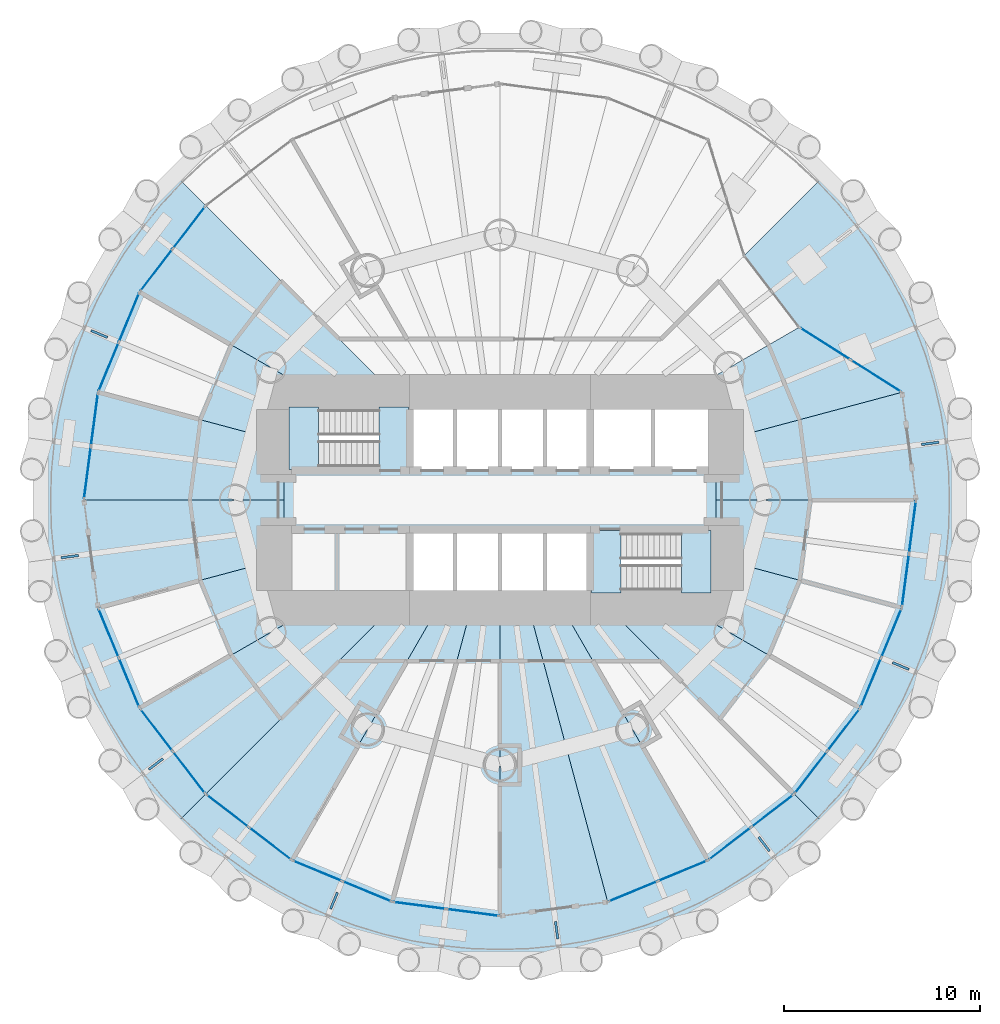
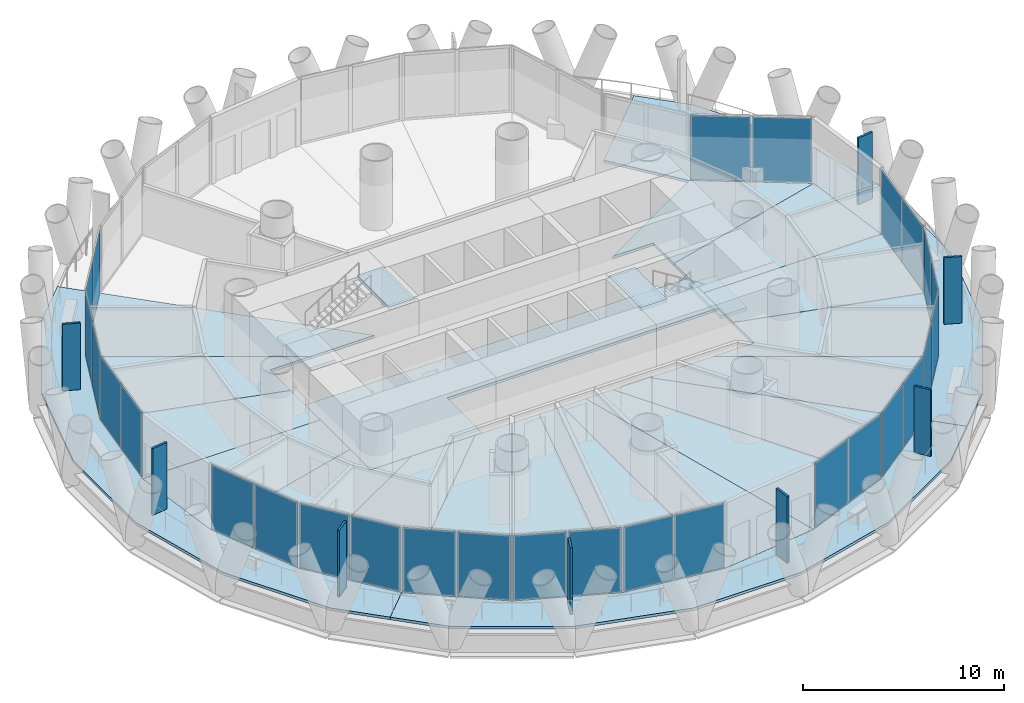
# One storey, part 7 of 15: 36 plates, 25 slabs, 16 elements without a shape of their own.
"""IFC4 building model written with IfcOpenShell, lengths in metres."""

from ifc_helpers import new_model, si_unit, direction, frame, origin, origin_2d, place, context, subcontext, project, spatial, polyline, rectangle, outline, extrude, material, layer, layer_set, type_object, element, aggregate, save


model = new_model("IFC4")

# Units and contexts
model_context = context("Model", 3, precision=1e-05, world=origin(), true_north=direction((0.0, 1.0)))
body_context = subcontext(model_context, "Body", "Model", "MODEL_VIEW")
ifc_project = project(units=[si_unit("LENGTHUNIT", "METRE"), si_unit("AREAUNIT", "SQUARE_METRE"), si_unit("VOLUMEUNIT", "CUBIC_METRE"), si_unit("PLANEANGLEUNIT", "RADIAN"), si_unit("MASSUNIT", "GRAM", prefix="KILO")], contexts=[model_context])

# Site, building, storey
site_placement = place(None, origin())
site = spatial("IfcSite", under=ifc_project, at=site_placement, CompositionType="ELEMENT")
building_placement = place(site_placement, origin())
building = spatial("IfcBuilding", under=site, at=building_placement, Name="Qaws Media Tower", CompositionType="ELEMENT")
storey_placement = place(building_placement, frame((0.0, 0.0, 34.39990234375)))
storey = spatial("IfcBuildingStorey", under=building, at=storey_placement, Name="L06", CompositionType="ELEMENT", Elevation=34.39990234375)

# Slabs
ifc_material_1 = material(Name="Concrete C35/45", Category="concrete")
ifc_layer_1 = layer(ifc_material_1, 0.159912109375)
ifc_layer_set_1 = layer_set([ifc_layer_1], Name="Composite balcony slab 160")
slab_type_1 = type_object("IfcSlabType", Name="Composite balcony slab 160", PredefinedType="FLOOR", material=ifc_layer_set_1)
slab_1_placement = place(storey_placement, frame((0.0, 0.0, -0.159912109375)))
element("IfcSlab", 1, at=slab_1_placement, inside=storey, type_object=slab_type_1, Name="S2 balcony slab L06 R10 to R16, movement joints on R10 and R16", PredefinedType="FLOOR", context=body_context, shape_type="SweptSolid", body=[
    extrude(outline(polyline([(41.27685546875, 35.63330078125), (38.1962890625, 40.96875), (36.601806640625, 46.919677734375), (36.601806640625, 53.080322265625), (38.1962890625, 59.03125), (41.27685546875, 64.36669921875), (43.455078125, 66.544921875), (45.00927734375, 64.99072265625), (41.640380859375, 60.60009765625), (39.5224609375, 55.487060546875), (38.800048828125, 50.0), (39.5224609375, 44.512939453125), (41.640380859375, 39.39990234375), (45.00927734375, 35.00927734375), (43.455078125, 33.455078125), (41.27685546875, 35.63330078125)])), origin(), (0.0, 0.0, 1.0), 0.159912109375),
])
slab_2_placement = place(storey_placement, frame((0.0, 0.0, -0.159912109375)))
element("IfcSlab", 2, at=slab_2_placement, inside=storey, type_object=slab_type_1, Name="S2 balcony slab L06 R16 to R22, movement joints on R16 and R22", PredefinedType="FLOOR", context=body_context, shape_type="SweptSolid", body=[
    extrude(outline(polyline([(74.36669921875, 31.27685546875), (69.03125, 28.1962890625), (63.080322265625, 26.601806640625), (56.919677734375, 26.601806640625), (50.96875, 28.1962890625), (45.63330078125, 31.27685546875), (43.455078125, 33.455078125), (45.00927734375, 35.00927734375), (49.39990234375, 31.640380859375), (54.512939453125, 29.5224609375), (60.0, 28.800048828125), (65.487060546875, 29.5224609375), (70.60009765625, 31.640380859375), (74.99072265625, 35.00927734375), (76.544921875, 33.455078125), (74.36669921875, 31.27685546875)])), origin(), (0.0, 0.0, 1.0), 0.159912109375),
])
slab_3_placement = place(storey_placement, frame((0.0, 0.0, -0.159912109375)))
element("IfcSlab", 3, at=slab_3_placement, inside=storey, type_object=slab_type_1, Name="S2 balcony slab L06 R22 to R04, movement joints on R22 and R04", PredefinedType="FLOOR", context=body_context, shape_type="SweptSolid", body=[
    extrude(outline(polyline([(81.8037109375, 40.96875), (78.72314453125, 35.63330078125), (76.544921875, 33.455078125), (74.99072265625, 35.00927734375), (78.359619140625, 39.39990234375), (80.4775390625, 44.512939453125), (81.199951171875, 50.0), (80.4775390625, 55.487060546875), (75.241943359375, 58.800048828125), (72.445068359375, 62.445068359375), (76.544921875, 66.544921875), (78.72314453125, 64.36669921875), (81.8037109375, 59.03125), (83.398193359375, 53.080322265625), (83.398193359375, 46.919677734375), (81.8037109375, 40.96875)])), origin(), (0.0, 0.0, 1.0), 0.159912109375),
])
ifc_material_2 = material(Name="Concrete C35/45", Category="concrete")
ifc_layer_2 = layer(ifc_material_2, 0.159912109375)
ifc_layer_set_2 = layer_set([ifc_layer_2], Name="Composite floor slab 160")
slab_type_2 = type_object("IfcSlabType", Name="Composite floor slab 160", PredefinedType="FLOOR", material=ifc_layer_set_2)
slab_4_placement = place(storey_placement, frame((0.0, 0.0, -0.159912109375)))
element("IfcSlab", 4, at=slab_4_placement, inside=storey, type_object=slab_type_2, Name="S1 core floor slab L06", PredefinedType="FLOOR", context=body_context, shape_type="SweptSolid", body=[
    extrude(outline(polyline([(71.0, 51.5), (71.0, 48.5), (55.39990234375, 48.5), (55.39990234375, 45.0), (49.0, 45.0), (49.0, 51.5), (71.0, 51.5)])), origin(), (0.0, 0.0, 1.0), 0.159912109375),
])
slab_5_placement = place(storey_placement, frame((0.0, 0.0, -0.159912109375)))
element("IfcSlab", 5, at=slab_5_placement, inside=storey, type_object=slab_type_2, Name="S1 floor panel L06 on R01+7.5", PredefinedType="FLOOR", context=body_context, shape_type="SweptSolid", body=[
    extrude(outline(polyline([(81.199951171875, 50.0), (71.0, 50.0), (71.0, 52.947509765625), (80.4775390625, 55.487060546875), (81.199951171875, 50.0)])), origin(), (0.0, 0.0, 1.0), 0.159912109375),
])
slab_6_placement = place(storey_placement, frame((0.0, 0.0, -0.159912109375)))
element("IfcSlab", 6, at=slab_6_placement, inside=storey, type_object=slab_type_2, Name="S1 floor panel L06 on R02+7.5", PredefinedType="FLOOR", context=body_context, shape_type="SweptSolid", body=[
    extrude(outline(polyline([(80.4775390625, 55.487060546875), (71.0, 52.947509765625), (71.0, 55.0), (68.660400390625, 55.0), (75.241943359375, 58.800048828125), (80.4775390625, 55.487060546875)])), origin(), (0.0, 0.0, 1.0), 0.159912109375),
])
slab_7_placement = place(storey_placement, frame((0.0, 0.0, -0.159912109375)))
element("IfcSlab", 7, at=slab_7_placement, inside=storey, type_object=slab_type_2, Name="S1 floor panel L06 on R10+7.5", PredefinedType="FLOOR", context=body_context, shape_type="SweptSolid", body=[
    extrude(outline(polyline([(41.640380859375, 60.60009765625), (45.00927734375, 64.99072265625), (55.0, 55.0), (51.339599609375, 55.0), (41.640380859375, 60.60009765625)])), origin(), (0.0, 0.0, 1.0), 0.159912109375),
])
slab_8_placement = place(storey_placement, frame((0.0, 0.0, -0.159912109375)))
element("IfcSlab", 8, at=slab_8_placement, inside=storey, type_object=slab_type_2, Name="S1 floor panel L06 on R11+7.5", PredefinedType="FLOOR", context=body_context, shape_type="SweptSolid", body=[
    extrude(outline(polyline([(39.5224609375, 55.487060546875), (41.640380859375, 60.60009765625), (51.339599609375, 55.0), (49.0, 55.0), (49.0, 52.947509765625), (39.5224609375, 55.487060546875)])), origin(), (0.0, 0.0, 1.0), 0.159912109375),
])
slab_9_placement = place(storey_placement, frame((0.0, 0.0, -0.159912109375)))
element("IfcSlab", 9, at=slab_9_placement, inside=storey, type_object=slab_type_2, Name="S1 floor panel L06 on R12+7.5", PredefinedType="FLOOR", context=body_context, shape_type="SweptSolid", body=[
    extrude(outline(polyline([(39.5224609375, 55.487060546875), (49.0, 52.947509765625), (49.0, 50.0), (38.800048828125, 50.0), (39.5224609375, 55.487060546875)])), origin(), (0.0, 0.0, 1.0), 0.159912109375),
])
slab_10_placement = place(storey_placement, frame((0.0, 0.0, -0.159912109375)))
element("IfcSlab", 10, at=slab_10_placement, inside=storey, type_object=slab_type_2, Name="S1 floor panel L06 on R13+7.5", PredefinedType="FLOOR", context=body_context, shape_type="SweptSolid", body=[
    extrude(outline(polyline([(38.800048828125, 50.0), (49.0, 50.0), (49.0, 47.052490234375), (39.5224609375, 44.512939453125), (38.800048828125, 50.0)])), origin(), (0.0, 0.0, 1.0), 0.159912109375),
])
slab_11_placement = place(storey_placement, frame((0.0, 0.0, -0.159912109375)))
element("IfcSlab", 11, at=slab_11_placement, inside=storey, type_object=slab_type_2, Name="S1 floor panel L06 on R14+7.5", PredefinedType="FLOOR", context=body_context, shape_type="SweptSolid", body=[
    extrude(outline(polyline([(41.640380859375, 39.39990234375), (39.5224609375, 44.512939453125), (49.0, 47.052490234375), (49.0, 45.0), (51.339599609375, 45.0), (41.640380859375, 39.39990234375)])), origin(), (0.0, 0.0, 1.0), 0.159912109375),
])
slab_12_placement = place(storey_placement, frame((0.0, 0.0, -0.159912109375)))
element("IfcSlab", 12, at=slab_12_placement, inside=storey, type_object=slab_type_2, Name="S1 floor panel L06 on R15+7.5", PredefinedType="FLOOR", context=body_context, shape_type="SweptSolid", body=[
    extrude(outline(polyline([(41.640380859375, 39.39990234375), (51.339599609375, 45.0), (55.0, 45.0), (45.00927734375, 35.00927734375), (41.640380859375, 39.39990234375)])), origin(), (0.0, 0.0, 1.0), 0.159912109375),
])
slab_13_placement = place(storey_placement, frame((0.0, 0.0, -0.159912109375)))
element("IfcSlab", 13, at=slab_13_placement, inside=storey, type_object=slab_type_2, Name="S1 floor panel L06 on R16+7.5", PredefinedType="FLOOR", context=body_context, shape_type="SweptSolid", body=[
    extrude(outline(polyline([(45.00927734375, 35.00927734375), (55.0, 45.0), (57.11328125, 45.0), (49.39990234375, 31.640380859375), (45.00927734375, 35.00927734375)])), origin(), (0.0, 0.0, 1.0), 0.159912109375),
])
slab_14_placement = place(storey_placement, frame((0.0, 0.0, -0.159912109375)))
element("IfcSlab", 14, at=slab_14_placement, inside=storey, type_object=slab_type_2, Name="S1 floor panel L06 on R17+7.5", PredefinedType="FLOOR", context=body_context, shape_type="SweptSolid", body=[
    extrude(outline(polyline([(54.512939453125, 29.5224609375), (49.39990234375, 31.640380859375), (57.11328125, 45.0), (58.660400390625, 45.0), (54.512939453125, 29.5224609375)])), origin(), (0.0, 0.0, 1.0), 0.159912109375),
])
slab_15_placement = place(storey_placement, frame((0.0, 0.0, -0.159912109375)))
element("IfcSlab", 15, at=slab_15_placement, inside=storey, type_object=slab_type_2, Name="S1 floor panel L06 on R18+7.5", PredefinedType="FLOOR", context=body_context, shape_type="SweptSolid", body=[
    extrude(outline(polyline([(54.512939453125, 29.5224609375), (58.660400390625, 45.0), (60.0, 45.0), (60.0, 28.800048828125), (54.512939453125, 29.5224609375)])), origin(), (0.0, 0.0, 1.0), 0.159912109375),
])
slab_16_placement = place(storey_placement, frame((0.0, 0.0, -0.159912109375)))
element("IfcSlab", 16, at=slab_16_placement, inside=storey, type_object=slab_type_2, Name="S1 floor panel L06 on R19+7.5", PredefinedType="FLOOR", context=body_context, shape_type="SweptSolid", body=[
    extrude(outline(polyline([(60.0, 28.800048828125), (60.0, 45.0), (61.339599609375, 45.0), (65.487060546875, 29.5224609375), (60.0, 28.800048828125)])), origin(), (0.0, 0.0, 1.0), 0.159912109375),
])
slab_17_placement = place(storey_placement, frame((0.0, 0.0, -0.159912109375)))
element("IfcSlab", 17, at=slab_17_placement, inside=storey, type_object=slab_type_2, Name="S1 floor panel L06 on R20+7.5", PredefinedType="FLOOR", context=body_context, shape_type="SweptSolid", body=[
    extrude(outline(polyline([(70.60009765625, 31.640380859375), (65.487060546875, 29.5224609375), (61.339599609375, 45.0), (62.88671875, 45.0), (70.60009765625, 31.640380859375)])), origin(), (0.0, 0.0, 1.0), 0.159912109375),
])
slab_18_placement = place(storey_placement, frame((0.0, 0.0, -0.159912109375)))
element("IfcSlab", 18, at=slab_18_placement, inside=storey, type_object=slab_type_2, Name="S1 floor panel L06 on R21+7.5", PredefinedType="FLOOR", context=body_context, shape_type="SweptSolid", body=[
    extrude(outline(polyline([(74.99072265625, 35.00927734375), (70.60009765625, 31.640380859375), (62.88671875, 45.0), (65.0, 45.0), (74.99072265625, 35.00927734375)])), origin(), (0.0, 0.0, 1.0), 0.159912109375),
])
slab_19_placement = place(storey_placement, frame((0.0, 0.0, -0.159912109375)))
element("IfcSlab", 19, at=slab_19_placement, inside=storey, type_object=slab_type_2, Name="S1 floor panel L06 on R22+7.5", PredefinedType="FLOOR", context=body_context, shape_type="SweptSolid", body=[
    extrude(outline(polyline([(74.99072265625, 35.00927734375), (65.0, 45.0), (68.660400390625, 45.0), (78.359619140625, 39.39990234375), (74.99072265625, 35.00927734375)])), origin(), (0.0, 0.0, 1.0), 0.159912109375),
])
slab_20_placement = place(storey_placement, frame((0.0, 0.0, -0.159912109375)))
element("IfcSlab", 20, at=slab_20_placement, inside=storey, type_object=slab_type_2, Name="S1 floor panel L06 on R23+7.5", PredefinedType="FLOOR", context=body_context, shape_type="SweptSolid", body=[
    extrude(outline(polyline([(80.4775390625, 44.512939453125), (78.359619140625, 39.39990234375), (68.660400390625, 45.0), (71.0, 45.0), (71.0, 47.052490234375), (80.4775390625, 44.512939453125)])), origin(), (0.0, 0.0, 1.0), 0.159912109375),
])
slab_21_placement = place(storey_placement, frame((0.0, 0.0, -0.159912109375)))
element("IfcSlab", 21, at=slab_21_placement, inside=storey, type_object=slab_type_2, Name="S1 floor panel L06 on R24+7.5", PredefinedType="FLOOR", context=body_context, shape_type="SweptSolid", body=[
    extrude(outline(polyline([(80.4775390625, 44.512939453125), (71.0, 47.052490234375), (71.0, 50.0), (81.199951171875, 50.0), (80.4775390625, 44.512939453125)])), origin(), (0.0, 0.0, 1.0), 0.159912109375),
])

# Curtain wall, plates
ifc_material_3 = material(Name="Aluminium and clear glass", Category="aluminium")
curtain_wall_type_1 = type_object("IfcCurtainWallType", Name="Loggia curtain wall CW-G", PredefinedType="NOTDEFINED", material=ifc_material_3)
curtain_wall_1_placement = place(storey_placement, origin())
curtain_wall_1 = element("IfcCurtainWall", 22, at=curtain_wall_1_placement, inside=storey, type_object=curtain_wall_type_1, Name="CWG curtain wall L06-02", PredefinedType="NOTDEFINED")
ifc_material_4 = material(Name="Clear laminated double glazing", Category="glass")
ifc_layer_3 = layer(ifc_material_4, 0.031982421875)
ifc_layer_set_3 = layer_set([ifc_layer_3], Name="Curtain wall glass unit 32")
plate_type_1 = type_object("IfcPlateType", Name="Curtain wall glass unit 32", PredefinedType="CURTAIN_PANEL", material=ifc_layer_set_3)
plate_1_placement = place(storey_placement, frame((79.15185546875, 56.325927734375, 0.080078125), z_axis=(0.0, 0.0, 1.0), x_axis=(-0.845025623308, 0.534725813808, 0.0)))
plate_1 = element("IfcPlate", 23, at=plate_1_placement, type_object=plate_type_1, Name="CWG panel 1.1", PredefinedType="CURTAIN_PANEL", context=body_context, shape_type="SweptSolid", body=[
    extrude(rectangle(XDim=2.977783203125, YDim=0.031982421875, at=origin_2d()), origin(), (0.0, 0.0, 1.0), 3.8798828125),
])
plate_2_placement = place(storey_placement, frame((76.56787109375, 57.9609375, 0.080078125), z_axis=(0.0, 0.0, 1.0), x_axis=(-0.845025623308, 0.534725813808, 0.0)))
plate_2 = element("IfcPlate", 24, at=plate_2_placement, type_object=plate_type_1, Name="CWG panel 2.1", PredefinedType="CURTAIN_PANEL", context=body_context, shape_type="SweptSolid", body=[
    extrude(rectangle(XDim=2.977783203125, YDim=0.031982421875, at=origin_2d()), origin(), (0.0, 0.0, 1.0), 3.8798828125),
])
aggregate(curtain_wall_1, [plate_1, plate_2])

ifc_material_5 = material(Name="Aluminium and clear glass", Category="aluminium")
curtain_wall_type_2 = type_object("IfcCurtainWallType", Name="Unitised curtain wall CW-A", PredefinedType="NOTDEFINED", material=ifc_material_5)
curtain_wall_2_placement = place(storey_placement, origin())
curtain_wall_2 = element("IfcCurtainWall", 25, at=curtain_wall_2_placement, inside=storey, type_object=curtain_wall_type_2, Name="CWA curtain wall L06-10", PredefinedType="NOTDEFINED")
plate_3_placement = place(storey_placement, frame((44.15478515625, 63.877197265625, 0.080078125), z_axis=(0.0, 0.0, 1.0), x_axis=(-0.608761431016, -0.793353338751, 0.0)))
plate_3 = element("IfcPlate", 26, at=plate_3_placement, type_object=plate_type_1, Name="CWA panel 1.1", PredefinedType="CURTAIN_PANEL", context=body_context, shape_type="SweptSolid", body=[
    extrude(rectangle(XDim=2.647216796875, YDim=0.031982421875, at=origin_2d()), origin(), (0.0, 0.0, 1.0), 3.8798828125),
])
plate_4_placement = place(storey_placement, frame((42.49462890625, 61.713623046875, 0.080078125), z_axis=(0.0, 0.0, 1.0), x_axis=(-0.608761431016, -0.793353338751, 0.0)))
plate_4 = element("IfcPlate", 27, at=plate_4_placement, type_object=plate_type_1, Name="CWA panel 2.1", PredefinedType="CURTAIN_PANEL", context=body_context, shape_type="SweptSolid", body=[
    extrude(rectangle(XDim=2.647216796875, YDim=0.031982421875, at=origin_2d()), origin(), (0.0, 0.0, 1.0), 3.8798828125),
])
aggregate(curtain_wall_2, [plate_3, plate_4])

curtain_wall_3_placement = place(storey_placement, origin())
curtain_wall_3 = element("IfcCurtainWall", 28, at=curtain_wall_3_placement, inside=storey, type_object=curtain_wall_type_2, Name="CWA curtain wall L06-11", PredefinedType="NOTDEFINED")
plate_5_placement = place(storey_placement, frame((41.10302734375, 59.30322265625, 0.080078125), z_axis=(0.0, 0.0, 1.0), x_axis=(-0.382683454553, -0.923879523321, 0.0)))
plate_5 = element("IfcPlate", 29, at=plate_5_placement, type_object=plate_type_1, Name="CWA panel 1.1", PredefinedType="CURTAIN_PANEL", context=body_context, shape_type="SweptSolid", body=[
    extrude(rectangle(XDim=2.647216796875, YDim=0.031982421875, at=origin_2d()), origin(), (0.0, 0.0, 1.0), 3.8798828125),
])
plate_6_placement = place(storey_placement, frame((40.0595703125, 56.78369140625, 0.080078125), z_axis=(0.0, 0.0, 1.0), x_axis=(-0.382683454553, -0.923879523321, 0.0)))
plate_6 = element("IfcPlate", 30, at=plate_6_placement, type_object=plate_type_1, Name="CWA panel 2.1", PredefinedType="CURTAIN_PANEL", context=body_context, shape_type="SweptSolid", body=[
    extrude(rectangle(XDim=2.647216796875, YDim=0.031982421875, at=origin_2d()), origin(), (0.0, 0.0, 1.0), 3.8798828125),
])
aggregate(curtain_wall_3, [plate_5, plate_6])

curtain_wall_4_placement = place(storey_placement, origin())
curtain_wall_4 = element("IfcCurtainWall", 31, at=curtain_wall_4_placement, inside=storey, type_object=curtain_wall_type_2, Name="CWA curtain wall L06-12", PredefinedType="NOTDEFINED")
plate_7_placement = place(storey_placement, frame((39.339111328125, 54.095458984375, 0.080078125), z_axis=(0.0, 0.0, 1.0), x_axis=(-0.130526100786, -0.991444873411, 0.0)))
plate_7 = element("IfcPlate", 32, at=plate_7_placement, type_object=plate_type_1, Name="CWA panel 1.1", PredefinedType="CURTAIN_PANEL", context=body_context, shape_type="SweptSolid", body=[
    extrude(rectangle(XDim=2.647216796875, YDim=0.031982421875, at=origin_2d()), origin(), (0.0, 0.0, 1.0), 3.8798828125),
])
plate_8_placement = place(storey_placement, frame((38.983154296875, 51.3916015625, 0.080078125), z_axis=(0.0, 0.0, 1.0), x_axis=(-0.130526100786, -0.991444873411, 0.0)))
plate_8 = element("IfcPlate", 33, at=plate_8_placement, type_object=plate_type_1, Name="CWA panel 2.1", PredefinedType="CURTAIN_PANEL", context=body_context, shape_type="SweptSolid", body=[
    extrude(rectangle(XDim=2.647216796875, YDim=0.031982421875, at=origin_2d()), origin(), (0.0, 0.0, 1.0), 3.8798828125),
])
aggregate(curtain_wall_4, [plate_7, plate_8])

curtain_wall_5_placement = place(storey_placement, origin())
curtain_wall_5 = element("IfcCurtainWall", 34, at=curtain_wall_5_placement, inside=storey, type_object=curtain_wall_type_2, Name="CWA curtain wall L06-14", PredefinedType="NOTDEFINED")
plate_9_placement = place(storey_placement, frame((40.0595703125, 43.21630859375, 0.080078125), z_axis=(0.0, 0.0, 1.0), x_axis=(0.382683454553, -0.923879523321, 0.0)))
plate_9 = element("IfcPlate", 35, at=plate_9_placement, type_object=plate_type_1, Name="CWA panel 1.1", PredefinedType="CURTAIN_PANEL", context=body_context, shape_type="SweptSolid", body=[
    extrude(rectangle(XDim=2.647216796875, YDim=0.031982421875, at=origin_2d()), origin(), (0.0, 0.0, 1.0), 3.8798828125),
])
plate_10_placement = place(storey_placement, frame((41.10302734375, 40.69677734375, 0.080078125), z_axis=(0.0, 0.0, 1.0), x_axis=(0.382683454553, -0.923879523321, 0.0)))
plate_10 = element("IfcPlate", 36, at=plate_10_placement, type_object=plate_type_1, Name="CWA panel 2.1", PredefinedType="CURTAIN_PANEL", context=body_context, shape_type="SweptSolid", body=[
    extrude(rectangle(XDim=2.647216796875, YDim=0.031982421875, at=origin_2d()), origin(), (0.0, 0.0, 1.0), 3.8798828125),
])
aggregate(curtain_wall_5, [plate_9, plate_10])

curtain_wall_6_placement = place(storey_placement, origin())
curtain_wall_6 = element("IfcCurtainWall", 37, at=curtain_wall_6_placement, inside=storey, type_object=curtain_wall_type_2, Name="CWA curtain wall L06-15", PredefinedType="NOTDEFINED")
plate_11_placement = place(storey_placement, frame((42.49462890625, 38.286376953125, 0.080078125), z_axis=(0.0, 0.0, 1.0), x_axis=(0.608761431016, -0.793353338751, 0.0)))
plate_11 = element("IfcPlate", 38, at=plate_11_placement, type_object=plate_type_1, Name="CWA panel 1.1", PredefinedType="CURTAIN_PANEL", context=body_context, shape_type="SweptSolid", body=[
    extrude(rectangle(XDim=2.647216796875, YDim=0.031982421875, at=origin_2d()), origin(), (0.0, 0.0, 1.0), 3.8798828125),
])
plate_12_placement = place(storey_placement, frame((44.15478515625, 36.122802734375, 0.080078125), z_axis=(0.0, 0.0, 1.0), x_axis=(0.608761431016, -0.793353338751, 0.0)))
plate_12 = element("IfcPlate", 39, at=plate_12_placement, type_object=plate_type_1, Name="CWA panel 2.1", PredefinedType="CURTAIN_PANEL", context=body_context, shape_type="SweptSolid", body=[
    extrude(rectangle(XDim=2.647216796875, YDim=0.031982421875, at=origin_2d()), origin(), (0.0, 0.0, 1.0), 3.8798828125),
])
aggregate(curtain_wall_6, [plate_11, plate_12])

curtain_wall_7_placement = place(storey_placement, origin())
curtain_wall_7 = element("IfcCurtainWall", 40, at=curtain_wall_7_placement, inside=storey, type_object=curtain_wall_type_2, Name="CWA curtain wall L06-16", PredefinedType="NOTDEFINED")
plate_13_placement = place(storey_placement, frame((46.122802734375, 34.15478515625, 0.080078125), z_axis=(0.0, 0.0, 1.0), x_axis=(0.793353338751, -0.608761431016, 0.0)))
plate_13 = element("IfcPlate", 41, at=plate_13_placement, type_object=plate_type_1, Name="CWA panel 1.1", PredefinedType="CURTAIN_PANEL", context=body_context, shape_type="SweptSolid", body=[
    extrude(rectangle(XDim=2.647216796875, YDim=0.031982421875, at=origin_2d()), origin(), (0.0, 0.0, 1.0), 3.8798828125),
])
plate_14_placement = place(storey_placement, frame((48.286376953125, 32.49462890625, 0.080078125), z_axis=(0.0, 0.0, 1.0), x_axis=(0.793353338751, -0.608761431016, 0.0)))
plate_14 = element("IfcPlate", 42, at=plate_14_placement, type_object=plate_type_1, Name="CWA panel 2.1", PredefinedType="CURTAIN_PANEL", context=body_context, shape_type="SweptSolid", body=[
    extrude(rectangle(XDim=2.647216796875, YDim=0.031982421875, at=origin_2d()), origin(), (0.0, 0.0, 1.0), 3.8798828125),
])
aggregate(curtain_wall_7, [plate_13, plate_14])

curtain_wall_8_placement = place(storey_placement, origin())
curtain_wall_8 = element("IfcCurtainWall", 43, at=curtain_wall_8_placement, inside=storey, type_object=curtain_wall_type_2, Name="CWA curtain wall L06-17", PredefinedType="NOTDEFINED")
plate_15_placement = place(storey_placement, frame((50.69677734375, 31.10302734375, 0.080078125), z_axis=(0.0, 0.0, 1.0), x_axis=(0.923879523321, -0.382683454553, 0.0)))
plate_15 = element("IfcPlate", 44, at=plate_15_placement, type_object=plate_type_1, Name="CWA panel 1.1", PredefinedType="CURTAIN_PANEL", context=body_context, shape_type="SweptSolid", body=[
    extrude(rectangle(XDim=2.647216796875, YDim=0.031982421875, at=origin_2d()), origin(), (0.0, 0.0, 1.0), 3.8798828125),
])
plate_16_placement = place(storey_placement, frame((53.21630859375, 30.0595703125, 0.080078125), z_axis=(0.0, 0.0, 1.0), x_axis=(0.923879523321, -0.382683454553, 0.0)))
plate_16 = element("IfcPlate", 45, at=plate_16_placement, type_object=plate_type_1, Name="CWA panel 2.1", PredefinedType="CURTAIN_PANEL", context=body_context, shape_type="SweptSolid", body=[
    extrude(rectangle(XDim=2.647216796875, YDim=0.031982421875, at=origin_2d()), origin(), (0.0, 0.0, 1.0), 3.8798828125),
])
aggregate(curtain_wall_8, [plate_15, plate_16])

curtain_wall_9_placement = place(storey_placement, origin())
curtain_wall_9 = element("IfcCurtainWall", 46, at=curtain_wall_9_placement, inside=storey, type_object=curtain_wall_type_2, Name="CWA curtain wall L06-18", PredefinedType="NOTDEFINED")
plate_17_placement = place(storey_placement, frame((55.904541015625, 29.339111328125, 0.080078125), z_axis=(0.0, 0.0, 1.0), x_axis=(0.991444873411, -0.130526100786, 0.0)))
plate_17 = element("IfcPlate", 47, at=plate_17_placement, type_object=plate_type_1, Name="CWA panel 1.1", PredefinedType="CURTAIN_PANEL", context=body_context, shape_type="SweptSolid", body=[
    extrude(rectangle(XDim=2.647216796875, YDim=0.031982421875, at=origin_2d()), origin(), (0.0, 0.0, 1.0), 3.8798828125),
])
plate_18_placement = place(storey_placement, frame((58.6083984375, 28.983154296875, 0.080078125), z_axis=(0.0, 0.0, 1.0), x_axis=(0.991444873411, -0.130526100786, 0.0)))
plate_18 = element("IfcPlate", 48, at=plate_18_placement, type_object=plate_type_1, Name="CWA panel 2.1", PredefinedType="CURTAIN_PANEL", context=body_context, shape_type="SweptSolid", body=[
    extrude(rectangle(XDim=2.647216796875, YDim=0.031982421875, at=origin_2d()), origin(), (0.0, 0.0, 1.0), 3.8798828125),
])
aggregate(curtain_wall_9, [plate_17, plate_18])

curtain_wall_10_placement = place(storey_placement, origin())
curtain_wall_10 = element("IfcCurtainWall", 49, at=curtain_wall_10_placement, inside=storey, type_object=curtain_wall_type_2, Name="CWA curtain wall L06-20", PredefinedType="NOTDEFINED")
plate_19_placement = place(storey_placement, frame((66.78369140625, 30.0595703125, 0.080078125), z_axis=(0.0, 0.0, 1.0), x_axis=(0.923879523321, 0.382683454553, 0.0)))
plate_19 = element("IfcPlate", 50, at=plate_19_placement, type_object=plate_type_1, Name="CWA panel 1.1", PredefinedType="CURTAIN_PANEL", context=body_context, shape_type="SweptSolid", body=[
    extrude(rectangle(XDim=2.647216796875, YDim=0.031982421875, at=origin_2d()), origin(), (0.0, 0.0, 1.0), 3.8798828125),
])
plate_20_placement = place(storey_placement, frame((69.30322265625, 31.10302734375, 0.080078125), z_axis=(0.0, 0.0, 1.0), x_axis=(0.923879523321, 0.382683454553, 0.0)))
plate_20 = element("IfcPlate", 51, at=plate_20_placement, type_object=plate_type_1, Name="CWA panel 2.1", PredefinedType="CURTAIN_PANEL", context=body_context, shape_type="SweptSolid", body=[
    extrude(rectangle(XDim=2.647216796875, YDim=0.031982421875, at=origin_2d()), origin(), (0.0, 0.0, 1.0), 3.8798828125),
])
aggregate(curtain_wall_10, [plate_19, plate_20])

curtain_wall_11_placement = place(storey_placement, origin())
curtain_wall_11 = element("IfcCurtainWall", 52, at=curtain_wall_11_placement, inside=storey, type_object=curtain_wall_type_2, Name="CWA curtain wall L06-21", PredefinedType="NOTDEFINED")
plate_21_placement = place(storey_placement, frame((71.713623046875, 32.49462890625, 0.080078125), z_axis=(0.0, 0.0, 1.0), x_axis=(0.793353338751, 0.608761431016, 0.0)))
plate_21 = element("IfcPlate", 53, at=plate_21_placement, type_object=plate_type_1, Name="CWA panel 1.1", PredefinedType="CURTAIN_PANEL", context=body_context, shape_type="SweptSolid", body=[
    extrude(rectangle(XDim=2.647216796875, YDim=0.031982421875, at=origin_2d()), origin(), (0.0, 0.0, 1.0), 3.8798828125),
])
plate_22_placement = place(storey_placement, frame((73.877197265625, 34.15478515625, 0.080078125), z_axis=(0.0, 0.0, 1.0), x_axis=(0.793353338751, 0.608761431016, 0.0)))
plate_22 = element("IfcPlate", 54, at=plate_22_placement, type_object=plate_type_1, Name="CWA panel 2.1", PredefinedType="CURTAIN_PANEL", context=body_context, shape_type="SweptSolid", body=[
    extrude(rectangle(XDim=2.647216796875, YDim=0.031982421875, at=origin_2d()), origin(), (0.0, 0.0, 1.0), 3.8798828125),
])
aggregate(curtain_wall_11, [plate_21, plate_22])

curtain_wall_12_placement = place(storey_placement, origin())
curtain_wall_12 = element("IfcCurtainWall", 55, at=curtain_wall_12_placement, inside=storey, type_object=curtain_wall_type_2, Name="CWA curtain wall L06-22", PredefinedType="NOTDEFINED")
plate_23_placement = place(storey_placement, frame((75.84521484375, 36.122802734375, 0.080078125), z_axis=(0.0, 0.0, 1.0), x_axis=(0.608761431016, 0.793353338751, 0.0)))
plate_23 = element("IfcPlate", 56, at=plate_23_placement, type_object=plate_type_1, Name="CWA panel 1.1", PredefinedType="CURTAIN_PANEL", context=body_context, shape_type="SweptSolid", body=[
    extrude(rectangle(XDim=2.647216796875, YDim=0.031982421875, at=origin_2d()), origin(), (0.0, 0.0, 1.0), 3.8798828125),
])
plate_24_placement = place(storey_placement, frame((77.50537109375, 38.286376953125, 0.080078125), z_axis=(0.0, 0.0, 1.0), x_axis=(0.608761431016, 0.793353338751, 0.0)))
plate_24 = element("IfcPlate", 57, at=plate_24_placement, type_object=plate_type_1, Name="CWA panel 2.1", PredefinedType="CURTAIN_PANEL", context=body_context, shape_type="SweptSolid", body=[
    extrude(rectangle(XDim=2.647216796875, YDim=0.031982421875, at=origin_2d()), origin(), (0.0, 0.0, 1.0), 3.8798828125),
])
aggregate(curtain_wall_12, [plate_23, plate_24])

curtain_wall_13_placement = place(storey_placement, origin())
curtain_wall_13 = element("IfcCurtainWall", 58, at=curtain_wall_13_placement, inside=storey, type_object=curtain_wall_type_2, Name="CWA curtain wall L06-23", PredefinedType="NOTDEFINED")
plate_25_placement = place(storey_placement, frame((78.89697265625, 40.69677734375, 0.080078125), z_axis=(0.0, 0.0, 1.0), x_axis=(0.382683454553, 0.923879523321, 0.0)))
plate_25 = element("IfcPlate", 59, at=plate_25_placement, type_object=plate_type_1, Name="CWA panel 1.1", PredefinedType="CURTAIN_PANEL", context=body_context, shape_type="SweptSolid", body=[
    extrude(rectangle(XDim=2.647216796875, YDim=0.031982421875, at=origin_2d()), origin(), (0.0, 0.0, 1.0), 3.8798828125),
])
plate_26_placement = place(storey_placement, frame((79.9404296875, 43.21630859375, 0.080078125), z_axis=(0.0, 0.0, 1.0), x_axis=(0.382683454553, 0.923879523321, 0.0)))
plate_26 = element("IfcPlate", 60, at=plate_26_placement, type_object=plate_type_1, Name="CWA panel 2.1", PredefinedType="CURTAIN_PANEL", context=body_context, shape_type="SweptSolid", body=[
    extrude(rectangle(XDim=2.647216796875, YDim=0.031982421875, at=origin_2d()), origin(), (0.0, 0.0, 1.0), 3.8798828125),
])
aggregate(curtain_wall_13, [plate_25, plate_26])

curtain_wall_14_placement = place(storey_placement, origin())
curtain_wall_14 = element("IfcCurtainWall", 61, at=curtain_wall_14_placement, inside=storey, type_object=curtain_wall_type_2, Name="CWA curtain wall L06-24", PredefinedType="NOTDEFINED")
plate_27_placement = place(storey_placement, frame((80.660888671875, 45.904541015625, 0.080078125), z_axis=(0.0, 0.0, 1.0), x_axis=(0.130526100786, 0.991444873411, 0.0)))
plate_27 = element("IfcPlate", 62, at=plate_27_placement, type_object=plate_type_1, Name="CWA panel 1.1", PredefinedType="CURTAIN_PANEL", context=body_context, shape_type="SweptSolid", body=[
    extrude(rectangle(XDim=2.647216796875, YDim=0.031982421875, at=origin_2d()), origin(), (0.0, 0.0, 1.0), 3.8798828125),
])
plate_28_placement = place(storey_placement, frame((81.016845703125, 48.6083984375, 0.080078125), z_axis=(0.0, 0.0, 1.0), x_axis=(0.130526100786, 0.991444873411, 0.0)))
plate_28 = element("IfcPlate", 63, at=plate_28_placement, type_object=plate_type_1, Name="CWA panel 2.1", PredefinedType="CURTAIN_PANEL", context=body_context, shape_type="SweptSolid", body=[
    extrude(rectangle(XDim=2.647216796875, YDim=0.031982421875, at=origin_2d()), origin(), (0.0, 0.0, 1.0), 3.8798828125),
])
aggregate(curtain_wall_14, [plate_27, plate_28])

# Plates
ifc_material_6 = material(Name="Precast concrete screen fin", Category="concrete")
ifc_layer_4 = layer(ifc_material_6, 0.1201171875)
ifc_layer_set_4 = layer_set([ifc_layer_4], Name="Screen fin 120x900")
plate_type_2 = type_object("IfcPlateType", Name="Screen fin 120x900", PredefinedType="USERDEFINED", material=ifc_layer_set_4)
for number, where, z_axis, x_axis, name in (
    (64, (81.910888671875, 52.884521484375, 0.0), (0.0, 0.0, 1.0), (0.991444861374, 0.13052619222, 0.0), "SCR1 screen fin L06-01"),
    (65, (39.582275390625, 58.457275390625, 0.0), (0.0, 0.0, 1.0), (-0.923879532511, 0.382683432365, 0.0), "SCR1 screen fin L06-06"),
    (66, (38.089111328125, 47.115478515625, 0.0), (0.0, 0.0, 1.0), (-0.991444861374, -0.13052619222, 0.0), "SCR1 screen fin L06-07"),
    (67, (42.466796875, 36.54638671875, 0.0), (0.0, 0.0, 1.0), (-0.793353340291, -0.608761429009, 0.0), "SCR1 screen fin L06-08"),
    (68, (51.542724609375, 29.582275390625, 0.0), (0.0, 0.0, 1.0), (-0.382683432365, -0.923879532511, 0.0), "SCR1 screen fin L06-09"),
    (69, (62.884521484375, 28.089111328125, 0.0), (0.0, 0.0, 1.0), (0.13052619222, -0.991444861374, 0.0), "SCR1 screen fin L06-10"),
    (70, (73.45361328125, 32.466796875, 0.0), (0.0, 0.0, 1.0), (0.608761429009, -0.793353340291, 0.0), "SCR1 screen fin L06-11"),
    (71, (80.417724609375, 41.542724609375, 0.0), (0.0, 0.0, 1.0), (0.923879532511, -0.382683432365, 0.0), "SCR1 screen fin L06-12"),
):
    element("IfcPlate", number, at=place(storey_placement, frame(where, z_axis=z_axis, x_axis=x_axis)), inside=storey, type_object=plate_type_2, Name=name, ObjectType="SCREEN", PredefinedType="USERDEFINED", context=body_context, shape_type="SweptSolid", body=[
        extrude(rectangle(XDim=0.89990234375, YDim=0.1201171875, at=origin_2d()), origin(), (0.0, 0.0, 1.0), 4.0400390625),
    ])

# Stair, slabs
ifc_material_7 = material(Name="Concrete C40/50", Category="concrete")
stair_type = type_object("IfcStairType", Name="Exit stair", PredefinedType="HALF_TURN_STAIR", material=ifc_material_7)
stair_1_placement = place(storey_placement, origin())
stair_1 = element("IfcStair", 72, at=stair_1_placement, inside=storey, type_object=stair_type, Name="S1 exit stair L06", PredefinedType="HALF_TURN_STAIR")
ifc_material_8 = material(Name="Concrete C40/50", Category="concrete")
ifc_layer_5 = layer(ifc_material_8, 0.199951171875)
ifc_layer_set_5 = layer_set([ifc_layer_5], Name="Stair landing 200")
slab_type_3 = type_object("IfcSlabType", Name="Stair landing 200", PredefinedType="LANDING", material=ifc_layer_set_5)
slab_22_placement = place(storey_placement, frame((0.0, 0.0, 1.900146484375)))
slab_22 = element("IfcSlab", 73, at=slab_22_placement, type_object=slab_type_3, Name="S1 landing 1", PredefinedType="LANDING", context=body_context, shape_type="SweptSolid", body=[
    extrude(outline(polyline([(49.25, 51.550048828125), (50.760009765625, 51.550048828125), (50.760009765625, 54.75), (49.25, 54.75), (49.25, 51.550048828125)])), origin(), (0.0, 0.0, 1.0), 0.199951171875),
])
slab_23_placement = place(storey_placement, frame((0.0, 0.0, 4.0)))
slab_23 = element("IfcSlab", 74, at=slab_23_placement, type_object=slab_type_3, Name="S1 landing 2", PredefinedType="LANDING", context=body_context, shape_type="SweptSolid", body=[
    extrude(outline(polyline([(53.840087890625, 51.550048828125), (55.35009765625, 51.550048828125), (55.35009765625, 54.75), (53.840087890625, 54.75), (53.840087890625, 51.550048828125)])), origin(), (0.0, 0.0, 1.0), 0.2001953125),
])
aggregate(stair_1, [slab_22, slab_23])

stair_2_placement = place(storey_placement, origin())
stair_2 = element("IfcStair", 75, at=stair_2_placement, inside=storey, type_object=stair_type, Name="S2 exit stair L06", PredefinedType="HALF_TURN_STAIR")
slab_24_placement = place(storey_placement, frame((0.0, 0.0, 1.900146484375)))
slab_24 = element("IfcSlab", 76, at=slab_24_placement, type_object=slab_type_3, Name="S2 landing 1", PredefinedType="LANDING", context=body_context, shape_type="SweptSolid", body=[
    extrude(outline(polyline([(69.239990234375, 45.25), (70.75, 45.25), (70.75, 48.449951171875), (69.239990234375, 48.449951171875), (69.239990234375, 45.25)])), origin(), (0.0, 0.0, 1.0), 0.199951171875),
])
slab_25_placement = place(storey_placement, frame((0.0, 0.0, 4.0)))
slab_25 = element("IfcSlab", 77, at=slab_25_placement, type_object=slab_type_3, Name="S2 landing 2", PredefinedType="LANDING", context=body_context, shape_type="SweptSolid", body=[
    extrude(outline(polyline([(64.64990234375, 45.25), (66.159912109375, 45.25), (66.159912109375, 48.449951171875), (64.64990234375, 48.449951171875), (64.64990234375, 45.25)])), origin(), (0.0, 0.0, 1.0), 0.2001953125),
])
aggregate(stair_2, [slab_24, slab_25])

save(model, "model.ifc")
